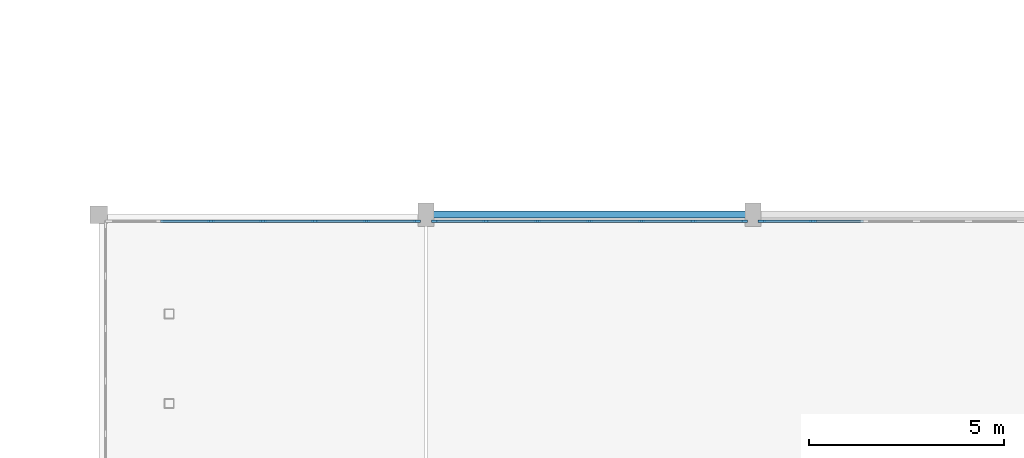
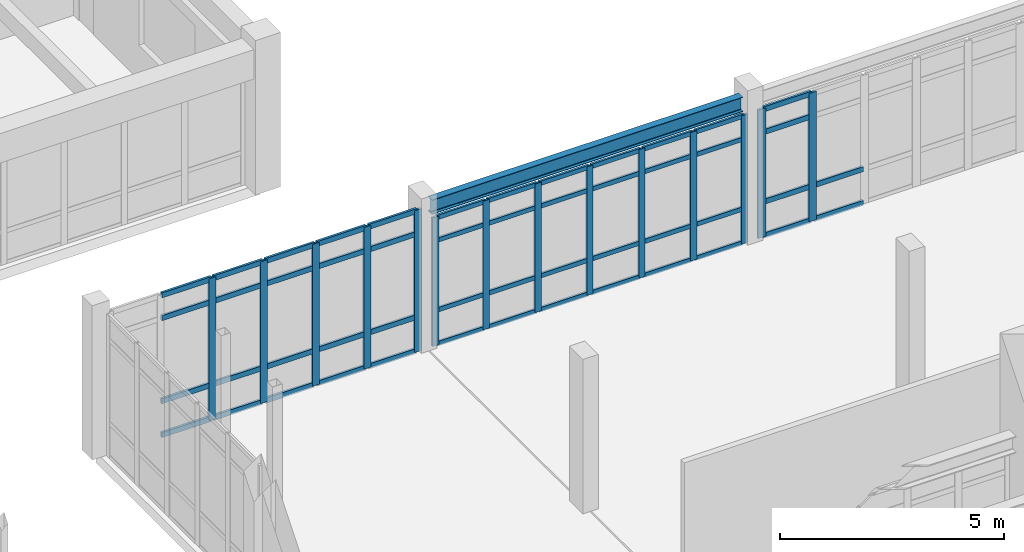
# One storey, part 91 of 147: 64 members, 1 beam, 3 elements without a shape of their own.
"""IFC4 building model written with IfcOpenShell, lengths in metres."""

import ifcopenshell
import ifcopenshell.guid

model = None  # the IFC model being written
_history = None  # IfcOwnerHistory: only IFC2X3 demands one
_inside = {}  # id of a spatial element -> (the spatial element, [elements in it])
_under = {}  # id of a project, library or spatial element -> (it, [spatial elements below it])
_declared = {}  # id of a project -> (the project, [libraries it declares])
_typed = {}  # id of a type object -> (the type object, [elements of that type])
_made_of = {}  # id of a material, layer set ... -> (it, [elements and type objects made of it])


def new_model(schema):
    """Start an empty IFC model of exactly this schema.

    Asked for "IFC4X3", IfcOpenShell would pick the latest addendum, in which some entities
    have other attributes; the version numbers below select the first issue.
    IFC2X3 requires an IfcOwnerHistory on every rooted entity: one is made here for all.
    """
    global model, _history
    if schema == "IFC4X3":
        model = ifcopenshell.file(schema_version=(4, 3, 0, 0))
    else:
        model = ifcopenshell.file(schema=schema)
    _inside.clear()
    _under.clear()
    _declared.clear()
    _typed.clear()
    _made_of.clear()
    _history = None
    if model.schema == "IFC2X3":
        org = make("IfcOrganization", Name="unknown")
        user = make(
            "IfcPersonAndOrganization",
            ThePerson=make("IfcPerson", FamilyName="unknown"),
            TheOrganization=org,
        )
        app = make(
            "IfcApplication",
            ApplicationDeveloper=org,
            Version="unknown",
            ApplicationFullName="unknown",
            ApplicationIdentifier="unknown",
        )
        _history = make(
            "IfcOwnerHistory",
            OwningUser=user,
            OwningApplication=app,
            ChangeAction="ADDED",
            CreationDate=0,
        )
    return model


def make(cls, **values):
    """One entity of the class cls with the attributes given. An attribute that is None is left unset."""
    return model.create_entity(
        cls, **{name: value for name, value in values.items() if value is not None}
    )


def rooted(cls, **values):
    """An entity with a GlobalId (a new one), such as an element, a storey or a relation."""
    return make(cls, GlobalId=ifcopenshell.guid.new(), OwnerHistory=_history, **values)


def si_unit(unit_type, name, prefix=None):
    """IfcSIUnit, for example si_unit("LENGTHUNIT", "METRE", prefix="MILLI")."""
    return make("IfcSIUnit", UnitType=unit_type, Prefix=prefix, Name=name)


def assignment(units):
    """IfcUnitAssignment: the units of a project."""
    return None if units is None else make("IfcUnitAssignment", Units=units)


def point(xyz):
    """IfcCartesianPoint."""
    return None if xyz is None else make("IfcCartesianPoint", Coordinates=xyz)


def direction(xyz):
    """IfcDirection."""
    return None if xyz is None else make("IfcDirection", DirectionRatios=xyz)


def frame(location, z_axis=None, x_axis=None):
    """IfcAxis2Placement3D, a coordinate frame: its origin and axes. An axis left out is left unset."""
    return make(
        "IfcAxis2Placement3D",
        Location=point(location),
        Axis=direction(z_axis),
        RefDirection=direction(x_axis),
    )


def frame_2d(location, x_axis=None):
    """IfcAxis2Placement2D, a coordinate frame in the plane: its origin and x axis."""
    return make(
        "IfcAxis2Placement2D", Location=point(location), RefDirection=direction(x_axis)
    )


def origin():
    """The frame at (0, 0, 0) with its axes left unset."""
    return frame((0.0, 0.0, 0.0))


def origin_2d():
    """The frame at (0, 0) in the plane with its x axis left unset."""
    return frame_2d((0.0, 0.0))


def place(relative_to, where):
    """IfcLocalPlacement: puts the frame where relative to a parent placement (None: the world)."""
    return make(
        "IfcLocalPlacement", PlacementRelTo=relative_to, RelativePlacement=where
    )


def context(
    kind, dimensions, precision=None, world=None, true_north=None, identifier=None
):
    """IfcGeometricRepresentationContext, for example the 3D "Model" context."""
    return make(
        "IfcGeometricRepresentationContext",
        ContextIdentifier=identifier,
        ContextType=kind,
        CoordinateSpaceDimension=dimensions,
        Precision=precision,
        WorldCoordinateSystem=world,
        TrueNorth=true_north,
    )


def subcontext(parent, identifier, kind, view, scale=None):
    """IfcGeometricRepresentationSubContext, for example "Body" below "Model"."""
    return make(
        "IfcGeometricRepresentationSubContext",
        ContextIdentifier=identifier,
        ContextType=kind,
        ParentContext=parent,
        TargetScale=scale,
        TargetView=view,
    )


def project(units=None, contexts=None):
    """IfcProject with its units and contexts."""
    return rooted(
        "IfcProject",
        Name="project",
        RepresentationContexts=contexts,
        UnitsInContext=assignment(units),
    )


def spatial(cls, under=None, at=None, **own):
    """A site, building, storey or space (cls), placed at a placement, below another one or the project."""
    s = rooted(cls, ObjectPlacement=at, **own)
    if under is not None:
        _under.setdefault(under.id(), (under, []))[1].append(s)
    return s


def profile(cls, at=None, kind="AREA", **sizes):
    """A parametric profile (cls). Its sizes go by their IFC names, for example OverallWidth=200.0."""
    return make(cls, ProfileType=kind, Position=at, **sizes)


def rectangle(**sizes):
    """IfcRectangleProfileDef."""
    return profile("IfcRectangleProfileDef", **sizes)


def i_section(**sizes):
    """IfcIShapeProfileDef."""
    return profile("IfcIShapeProfileDef", **sizes)


def extrude(swept, where, along, depth):
    """IfcExtrudedAreaSolid: the profile swept, set in the frame where, extruded along a direction by depth."""
    return make(
        "IfcExtrudedAreaSolid",
        SweptArea=swept,
        Position=where,
        ExtrudedDirection=direction(along),
        Depth=depth,
    )


def shape(context_of_items, identifier, shape_type, items):
    """IfcShapeRepresentation: the items that make up one representation, for example the "Body"."""
    return make(
        "IfcShapeRepresentation",
        ContextOfItems=context_of_items,
        RepresentationIdentifier=identifier,
        RepresentationType=shape_type,
        Items=items,
    )


def material(Name=None, Category=None):
    """IfcMaterial."""
    return make("IfcMaterial", Name=Name, Category=Category)


def material_profile(
    of_material, cross_section, Name=None, Category=None, Priority=None
):
    """IfcMaterialProfile: a cross section and its material."""
    return make(
        "IfcMaterialProfile",
        Name=Name,
        Material=of_material,
        Profile=cross_section,
        Priority=Priority,
        Category=Category,
    )


def profile_set(profiles, Name=None, composite=None):
    """IfcMaterialProfileSet."""
    return make(
        "IfcMaterialProfileSet",
        Name=Name,
        MaterialProfiles=profiles,
        CompositeProfile=composite,
    )


def made_of(thing, what):
    """Note that an element or type object is made of a material, layer set ...; save() writes the relation."""
    if what is not None:
        _made_of.setdefault(what.id(), (what, []))[1].append(thing)
    return thing


def type_object(cls, material=None, **own):
    """A type object (cls), such as IfcWallType, which elements share."""
    return made_of(rooted(cls, **own), material)


def element(
    cls,
    number,
    at=None,
    inside=None,
    cuts=None,
    type_object=None,
    material=None,
    context=None,
    identifier="Body",
    shape_type=None,
    held_by="IfcProductDefinitionShape",
    body=None,
    shapes=None,
    **own,
):
    """One element of the class cls, such as IfcWall. Its Tag is "e" and its number.

    at: its placement. inside: the storey or other place that contains it. cuts: it is an
    opening in that element (IfcRelVoidsElement). A single representation is given by context,
    identifier, shape_type and body (its items); several are given by shapes. held_by: the class
    of the entity that holds the representations. save() writes the other relations.
    """
    e = rooted(cls, Tag="e%d" % number, ObjectPlacement=at, **own)
    if body is not None:
        shapes = [shape(context, identifier, shape_type, body)]
    if shapes is not None:
        e.Representation = make(held_by, Representations=shapes)
    if inside is not None:
        _inside.setdefault(inside.id(), (inside, []))[1].append(e)
    if cuts is not None:
        rooted(
            "IfcRelVoidsElement", RelatingBuildingElement=cuts, RelatedOpeningElement=e
        )
    if type_object is not None:
        _typed.setdefault(type_object.id(), (type_object, []))[1].append(e)
    return made_of(e, material)


def aggregate(whole, parts):
    """IfcRelAggregates: a whole, such as a stair, and the parts it consists of."""
    return rooted("IfcRelAggregates", RelatingObject=whole, RelatedObjects=parts)


def save(model, path):
    """Write the relations noted so far, then the file.

    IfcRelAggregates (storeys below a building ...), IfcRelContainedInSpatialStructure (elements
    in a storey), IfcRelDefinesByType, IfcRelAssociatesMaterial and IfcRelDeclares: one each for
    every whole, place, type object, material and project.
    """
    for whole, parts in _under.values():
        aggregate(whole, parts)
    for where, things in _inside.values():
        rooted(
            "IfcRelContainedInSpatialStructure",
            RelatedElements=things,
            RelatingStructure=where,
        )
    for kind, things in _typed.values():
        rooted("IfcRelDefinesByType", RelatedObjects=things, RelatingType=kind)
    for what, things in _made_of.values():
        rooted("IfcRelAssociatesMaterial", RelatedObjects=things, RelatingMaterial=what)
    for by, libraries in _declared.values():
        rooted("IfcRelDeclares", RelatingContext=by, RelatedDefinitions=libraries)
    model.write(path)


model = new_model("IFC4")

# Units and contexts
model_context = context("Model", 3, precision=1e-05, world=origin(), true_north=direction((0.0, 1.0)))
body_context = subcontext(model_context, "Body", "Model", "MODEL_VIEW")
ifc_project = project(units=[si_unit("LENGTHUNIT", "METRE"), si_unit("AREAUNIT", "SQUARE_METRE"), si_unit("VOLUMEUNIT", "CUBIC_METRE"), si_unit("PLANEANGLEUNIT", "RADIAN"), si_unit("MASSUNIT", "GRAM", prefix="KILO")], contexts=[model_context])

# Site, building, storey
site_placement = place(None, origin())
site = spatial("IfcSite", under=ifc_project, at=site_placement, CompositionType="ELEMENT")
building_placement = place(site_placement, origin())
building = spatial("IfcBuilding", under=site, at=building_placement, Name="Malvenik Polytechnic", CompositionType="ELEMENT")
storey_placement = place(building_placement, frame((0.0, 0.0, 5.10009765625)))
storey = spatial("IfcBuildingStorey", under=building, at=storey_placement, Name="L01", CompositionType="ELEMENT", Elevation=5.10009765625)

# Curtain wall, members
ifc_material_1 = material(Name="Anodised aluminium 6060-T6", Category="aluminium")
curtain_wall_type_1 = type_object("IfcCurtainWallType", Name="ARC-CW-CW-02", PredefinedType="NOTDEFINED", material=ifc_material_1)
curtain_wall_1_placement = place(storey_placement, origin())
curtain_wall_1 = element("IfcCurtainWall", 1, at=curtain_wall_1_placement, inside=storey, type_object=curtain_wall_type_1, Name="Unitised Curtain Wall CW-02 L01 #65", PredefinedType="NOTDEFINED")
ifc_material_2 = material(Name="Anodised aluminium", Category="aluminium")
ifc_material_profile_1 = material_profile(ifc_material_2, rectangle(XDim=0.06005859375, YDim=0.159912109375, at=origin_2d()), Name="ALU MULLION 60x160")
ifc_profile_set_1 = profile_set([ifc_material_profile_1], Name="Anodised aluminium")
member_type_1 = type_object("IfcMemberType", Name="ARC-CWM-160", PredefinedType="MULLION", material=ifc_profile_set_1)
member_1_placement = place(storey_placement, frame((134.6279296875, 107.830078125, 0.0), z_axis=(0.0, 0.0, 1.0), x_axis=(0.0, 1.0, 0.0)))
member_1 = element("IfcMember", 2, at=member_1_placement, type_object=member_type_1, Name="CW-02 mullion 1", PredefinedType="MULLION", context=body_context, shape_type="SweptSolid", body=[
    extrude(rectangle(XDim=0.06005859375, YDim=0.159912109375, at=origin_2d()), origin(), (0.0, 0.0, 1.0), 3.497802734375),
])
member_2_placement = place(storey_placement, frame((135.931884765625, 107.830078125, 0.0), z_axis=(0.0, 0.0, 1.0), x_axis=(0.0, 1.0, 0.0)))
member_2 = element("IfcMember", 3, at=member_2_placement, type_object=member_type_1, Name="CW-02 mullion 2", PredefinedType="MULLION", context=body_context, shape_type="SweptSolid", body=[
    extrude(rectangle(XDim=0.06005859375, YDim=0.159912109375, at=origin_2d()), origin(), (0.0, 0.0, 1.0), 3.497802734375),
])
member_3_placement = place(storey_placement, frame((137.26611328125, 107.830078125, 0.0), z_axis=(0.0, 0.0, 1.0), x_axis=(0.0, 1.0, 0.0)))
member_3 = element("IfcMember", 4, at=member_3_placement, type_object=member_type_1, Name="CW-02 mullion 3", PredefinedType="MULLION", context=body_context, shape_type="SweptSolid", body=[
    extrude(rectangle(XDim=0.06005859375, YDim=0.159912109375, at=origin_2d()), origin(), (0.0, 0.0, 1.0), 3.497802734375),
])
member_4_placement = place(storey_placement, frame((138.60009765625, 107.830078125, 0.0), z_axis=(0.0, 0.0, 1.0), x_axis=(0.0, 1.0, 0.0)))
member_4 = element("IfcMember", 5, at=member_4_placement, type_object=member_type_1, Name="CW-02 mullion 4", PredefinedType="MULLION", context=body_context, shape_type="SweptSolid", body=[
    extrude(rectangle(XDim=0.06005859375, YDim=0.159912109375, at=origin_2d()), origin(), (0.0, 0.0, 1.0), 3.497802734375),
])
member_5_placement = place(storey_placement, frame((139.93408203125, 107.830078125, 0.0), z_axis=(0.0, 0.0, 1.0), x_axis=(0.0, 1.0, 0.0)))
member_5 = element("IfcMember", 6, at=member_5_placement, type_object=member_type_1, Name="CW-02 mullion 5", PredefinedType="MULLION", context=body_context, shape_type="SweptSolid", body=[
    extrude(rectangle(XDim=0.06005859375, YDim=0.159912109375, at=origin_2d()), origin(), (0.0, 0.0, 1.0), 3.497802734375),
])
member_6_placement = place(storey_placement, frame((141.26806640625, 107.830078125, 0.0), z_axis=(0.0, 0.0, 1.0), x_axis=(0.0, 1.0, 0.0)))
member_6 = element("IfcMember", 7, at=member_6_placement, type_object=member_type_1, Name="CW-02 mullion 6", PredefinedType="MULLION", context=body_context, shape_type="SweptSolid", body=[
    extrude(rectangle(XDim=0.06005859375, YDim=0.159912109375, at=origin_2d()), origin(), (0.0, 0.0, 1.0), 3.497802734375),
])
member_7_placement = place(storey_placement, frame((142.572021484375, 107.830078125, 0.0), z_axis=(0.0, 0.0, 1.0), x_axis=(0.0, 1.0, 0.0)))
member_7 = element("IfcMember", 8, at=member_7_placement, type_object=member_type_1, Name="CW-02 mullion 7", PredefinedType="MULLION", context=body_context, shape_type="SweptSolid", body=[
    extrude(rectangle(XDim=0.06005859375, YDim=0.159912109375, at=origin_2d()), origin(), (0.0, 0.0, 1.0), 3.497802734375),
])

curtain_wall_type_2 = type_object("IfcCurtainWallType", Name="ARC-CW-CW-01", PredefinedType="NOTDEFINED", material=ifc_material_1)
curtain_wall_2_placement = place(storey_placement, origin())
curtain_wall_2 = element("IfcCurtainWall", 9, at=curtain_wall_2_placement, inside=storey, type_object=curtain_wall_type_2, Name="Unitised Curtain Wall CW-01 L01 #64", PredefinedType="NOTDEFINED")
ifc_material_profile_2 = material_profile(ifc_material_2, rectangle(XDim=0.06005859375, YDim=0.179931640625, at=origin_2d()), Name="ALU MULLION 60x180")
ifc_profile_set_2 = profile_set([ifc_material_profile_2], Name="Anodised aluminium")
member_type_2 = type_object("IfcMemberType", Name="ARC-CWM-180", PredefinedType="MULLION", material=ifc_profile_set_2)
member_8_placement = place(storey_placement, frame((128.882568359375, 107.830078125, 0.0), z_axis=(0.0, 0.0, 1.0), x_axis=(0.0, 1.0, 0.0)))
member_8 = element("IfcMember", 10, at=member_8_placement, type_object=member_type_2, Name="CW-01 mullion 3", PredefinedType="MULLION", context=body_context, shape_type="SweptSolid", body=[
    extrude(rectangle(XDim=0.06005859375, YDim=0.179931640625, at=origin_2d()), origin(), (0.0, 0.0, 1.0), 3.85986328125),
])
member_9_placement = place(storey_placement, frame((130.21240234375, 107.830078125, 0.0), z_axis=(0.0, 0.0, 1.0), x_axis=(0.0, 1.0, 0.0)))
member_9 = element("IfcMember", 11, at=member_9_placement, type_object=member_type_2, Name="CW-01 mullion 4", PredefinedType="MULLION", context=body_context, shape_type="SweptSolid", body=[
    extrude(rectangle(XDim=0.06005859375, YDim=0.179931640625, at=origin_2d()), origin(), (0.0, 0.0, 1.0), 3.85986328125),
])
member_10_placement = place(storey_placement, frame((131.542236328125, 107.830078125, 0.0), z_axis=(0.0, 0.0, 1.0), x_axis=(0.0, 1.0, 0.0)))
member_10 = element("IfcMember", 12, at=member_10_placement, type_object=member_type_2, Name="CW-01 mullion 5", PredefinedType="MULLION", context=body_context, shape_type="SweptSolid", body=[
    extrude(rectangle(XDim=0.06005859375, YDim=0.179931640625, at=origin_2d()), origin(), (0.0, 0.0, 1.0), 3.85986328125),
])
member_11_placement = place(storey_placement, frame((132.8720703125, 107.830078125, 0.0), z_axis=(0.0, 0.0, 1.0), x_axis=(0.0, 1.0, 0.0)))
member_11 = element("IfcMember", 13, at=member_11_placement, type_object=member_type_2, Name="CW-01 mullion 6", PredefinedType="MULLION", context=body_context, shape_type="SweptSolid", body=[
    extrude(rectangle(XDim=0.06005859375, YDim=0.179931640625, at=origin_2d()), origin(), (0.0, 0.0, 1.0), 3.85986328125),
])
member_12_placement = place(storey_placement, frame((134.172119140625, 107.830078125, 0.0), z_axis=(0.0, 0.0, 1.0), x_axis=(0.0, 1.0, 0.0)))
member_12 = element("IfcMember", 14, at=member_12_placement, type_object=member_type_2, Name="CW-01 mullion 7", PredefinedType="MULLION", context=body_context, shape_type="SweptSolid", body=[
    extrude(rectangle(XDim=0.06005859375, YDim=0.179931640625, at=origin_2d()), origin(), (0.0, 0.0, 1.0), 3.85986328125),
])

curtain_wall_3_placement = place(storey_placement, origin())
curtain_wall_3 = element("IfcCurtainWall", 15, at=curtain_wall_3_placement, inside=storey, type_object=curtain_wall_type_1, Name="Unitised Curtain Wall CW-02 L01 #66", PredefinedType="NOTDEFINED")
ifc_material_profile_3 = material_profile(ifc_material_2, rectangle(XDim=0.06005859375, YDim=0.199951171875, at=origin_2d()), Name="ALU MULLION 60x200")
ifc_profile_set_3 = profile_set([ifc_material_profile_3], Name="Anodised aluminium")
member_type_3 = type_object("IfcMemberType", Name="ARC-CWM-200", PredefinedType="MULLION", material=ifc_profile_set_3)
member_13_placement = place(storey_placement, frame((143.028076171875, 107.830078125, 0.0), z_axis=(0.0, 0.0, 1.0), x_axis=(0.0, 1.0, 0.0)))
member_13 = element("IfcMember", 16, at=member_13_placement, type_object=member_type_3, Name="CW-02 mullion 1", PredefinedType="MULLION", context=body_context, shape_type="SweptSolid", body=[
    extrude(rectangle(XDim=0.06005859375, YDim=0.199951171875, at=origin_2d()), origin(), (0.0, 0.0, 1.0), 3.497802734375),
])
member_14_placement = place(storey_placement, frame((144.33203125, 107.830078125, 0.0), z_axis=(0.0, 0.0, 1.0), x_axis=(0.0, 1.0, 0.0)))
member_14 = element("IfcMember", 17, at=member_14_placement, type_object=member_type_3, Name="CW-02 mullion 2", PredefinedType="MULLION", context=body_context, shape_type="SweptSolid", body=[
    extrude(rectangle(XDim=0.06005859375, YDim=0.199951171875, at=origin_2d()), origin(), (0.0, 0.0, 1.0), 3.497802734375),
])

# Member
ifc_material_profile_4 = material_profile(ifc_material_2, rectangle(XDim=0.06005859375, YDim=0.1201171875, at=origin_2d()), Name="ALU TRANSOM 60x120")
ifc_profile_set_4 = profile_set([ifc_material_profile_4], Name="Anodised aluminium")
member_type_4 = type_object("IfcMemberType", Name="ARC-CWT-120", PredefinedType="USERDEFINED", material=ifc_profile_set_4)
member_15_placement = place(storey_placement, frame((134.657958984375, 107.830078125, 0.02978515625), z_axis=(1.0, 0.0, 0.0), x_axis=(0.0, 1.0, 0.0)))
member_15 = element("IfcMember", 18, at=member_15_placement, type_object=member_type_4, Name="CW-02 transom 1.1", ObjectType="TRANSOM", PredefinedType="USERDEFINED", context=body_context, shape_type="SweptSolid", body=[
    extrude(rectangle(XDim=0.06005859375, YDim=0.1201171875, at=origin_2d()), origin(), (0.0, 0.0, 1.0), 1.244140625),
])

member_16_placement = place(storey_placement, frame((134.657958984375, 107.830078125, 0.949951171875), z_axis=(1.0, 0.0, 0.0), x_axis=(0.0, 1.0, 0.0)))
member_16 = element("IfcMember", 19, at=member_16_placement, type_object=member_type_4, Name="CW-02 transom 1.2", ObjectType="TRANSOM", PredefinedType="USERDEFINED", context=body_context, shape_type="SweptSolid", body=[
    extrude(rectangle(XDim=0.06005859375, YDim=0.1201171875, at=origin_2d()), origin(), (0.0, 0.0, 1.0), 1.244140625),
])

member_17_placement = place(storey_placement, frame((134.657958984375, 107.830078125, 2.847900390625), z_axis=(1.0, 0.0, 0.0), x_axis=(0.0, 1.0, 0.0)))
member_17 = element("IfcMember", 20, at=member_17_placement, type_object=member_type_4, Name="CW-02 transom 1.3", ObjectType="TRANSOM", PredefinedType="USERDEFINED", context=body_context, shape_type="SweptSolid", body=[
    extrude(rectangle(XDim=0.06005859375, YDim=0.1201171875, at=origin_2d()), origin(), (0.0, 0.0, 1.0), 1.244140625),
])

member_18_placement = place(storey_placement, frame((134.657958984375, 107.830078125, 3.468017578125), z_axis=(1.0, 0.0, 0.0), x_axis=(0.0, 1.0, 0.0)))
member_18 = element("IfcMember", 21, at=member_18_placement, type_object=member_type_4, Name="CW-02 transom 1.4", ObjectType="TRANSOM", PredefinedType="USERDEFINED", context=body_context, shape_type="SweptSolid", body=[
    extrude(rectangle(XDim=0.06005859375, YDim=0.1201171875, at=origin_2d()), origin(), (0.0, 0.0, 1.0), 1.244140625),
])

member_19_placement = place(storey_placement, frame((135.9619140625, 107.830078125, 0.02978515625), z_axis=(1.0, 0.0, 0.0), x_axis=(0.0, 1.0, 0.0)))
member_19 = element("IfcMember", 22, at=member_19_placement, type_object=member_type_4, Name="CW-02 transom 2.1", ObjectType="TRANSOM", PredefinedType="USERDEFINED", context=body_context, shape_type="SweptSolid", body=[
    extrude(rectangle(XDim=0.06005859375, YDim=0.1201171875, at=origin_2d()), origin(), (0.0, 0.0, 1.0), 1.274169921875),
])

member_20_placement = place(storey_placement, frame((135.9619140625, 107.830078125, 0.949951171875), z_axis=(1.0, 0.0, 0.0), x_axis=(0.0, 1.0, 0.0)))
member_20 = element("IfcMember", 23, at=member_20_placement, type_object=member_type_4, Name="CW-02 transom 2.2", ObjectType="TRANSOM", PredefinedType="USERDEFINED", context=body_context, shape_type="SweptSolid", body=[
    extrude(rectangle(XDim=0.06005859375, YDim=0.1201171875, at=origin_2d()), origin(), (0.0, 0.0, 1.0), 1.274169921875),
])

member_21_placement = place(storey_placement, frame((135.9619140625, 107.830078125, 2.847900390625), z_axis=(1.0, 0.0, 0.0), x_axis=(0.0, 1.0, 0.0)))
member_21 = element("IfcMember", 24, at=member_21_placement, type_object=member_type_4, Name="CW-02 transom 2.3", ObjectType="TRANSOM", PredefinedType="USERDEFINED", context=body_context, shape_type="SweptSolid", body=[
    extrude(rectangle(XDim=0.06005859375, YDim=0.1201171875, at=origin_2d()), origin(), (0.0, 0.0, 1.0), 1.274169921875),
])

member_22_placement = place(storey_placement, frame((135.9619140625, 107.830078125, 3.468017578125), z_axis=(1.0, 0.0, 0.0), x_axis=(0.0, 1.0, 0.0)))
member_22 = element("IfcMember", 25, at=member_22_placement, type_object=member_type_4, Name="CW-02 transom 2.4", ObjectType="TRANSOM", PredefinedType="USERDEFINED", context=body_context, shape_type="SweptSolid", body=[
    extrude(rectangle(XDim=0.06005859375, YDim=0.1201171875, at=origin_2d()), origin(), (0.0, 0.0, 1.0), 1.274169921875),
])

member_23_placement = place(storey_placement, frame((137.2958984375, 107.830078125, 0.02978515625), z_axis=(1.0, 0.0, 0.0), x_axis=(0.0, 1.0, 0.0)))
member_23 = element("IfcMember", 26, at=member_23_placement, type_object=member_type_4, Name="CW-02 transom 3.1", ObjectType="TRANSOM", PredefinedType="USERDEFINED", context=body_context, shape_type="SweptSolid", body=[
    extrude(rectangle(XDim=0.06005859375, YDim=0.1201171875, at=origin_2d()), origin(), (0.0, 0.0, 1.0), 1.274169921875),
])

member_24_placement = place(storey_placement, frame((137.2958984375, 107.830078125, 0.949951171875), z_axis=(1.0, 0.0, 0.0), x_axis=(0.0, 1.0, 0.0)))
member_24 = element("IfcMember", 27, at=member_24_placement, type_object=member_type_4, Name="CW-02 transom 3.2", ObjectType="TRANSOM", PredefinedType="USERDEFINED", context=body_context, shape_type="SweptSolid", body=[
    extrude(rectangle(XDim=0.06005859375, YDim=0.1201171875, at=origin_2d()), origin(), (0.0, 0.0, 1.0), 1.274169921875),
])

member_25_placement = place(storey_placement, frame((137.2958984375, 107.830078125, 2.847900390625), z_axis=(1.0, 0.0, 0.0), x_axis=(0.0, 1.0, 0.0)))
member_25 = element("IfcMember", 28, at=member_25_placement, type_object=member_type_4, Name="CW-02 transom 3.3", ObjectType="TRANSOM", PredefinedType="USERDEFINED", context=body_context, shape_type="SweptSolid", body=[
    extrude(rectangle(XDim=0.06005859375, YDim=0.1201171875, at=origin_2d()), origin(), (0.0, 0.0, 1.0), 1.274169921875),
])

member_26_placement = place(storey_placement, frame((137.2958984375, 107.830078125, 3.468017578125), z_axis=(1.0, 0.0, 0.0), x_axis=(0.0, 1.0, 0.0)))
member_26 = element("IfcMember", 29, at=member_26_placement, type_object=member_type_4, Name="CW-02 transom 3.4", ObjectType="TRANSOM", PredefinedType="USERDEFINED", context=body_context, shape_type="SweptSolid", body=[
    extrude(rectangle(XDim=0.06005859375, YDim=0.1201171875, at=origin_2d()), origin(), (0.0, 0.0, 1.0), 1.274169921875),
])

member_27_placement = place(storey_placement, frame((138.6298828125, 107.830078125, 0.02978515625), z_axis=(1.0, 0.0, 0.0), x_axis=(0.0, 1.0, 0.0)))
member_27 = element("IfcMember", 30, at=member_27_placement, type_object=member_type_4, Name="CW-02 transom 4.1", ObjectType="TRANSOM", PredefinedType="USERDEFINED", context=body_context, shape_type="SweptSolid", body=[
    extrude(rectangle(XDim=0.06005859375, YDim=0.1201171875, at=origin_2d()), origin(), (0.0, 0.0, 1.0), 1.274169921875),
])

member_28_placement = place(storey_placement, frame((138.6298828125, 107.830078125, 0.949951171875), z_axis=(1.0, 0.0, 0.0), x_axis=(0.0, 1.0, 0.0)))
member_28 = element("IfcMember", 31, at=member_28_placement, type_object=member_type_4, Name="CW-02 transom 4.2", ObjectType="TRANSOM", PredefinedType="USERDEFINED", context=body_context, shape_type="SweptSolid", body=[
    extrude(rectangle(XDim=0.06005859375, YDim=0.1201171875, at=origin_2d()), origin(), (0.0, 0.0, 1.0), 1.274169921875),
])

member_29_placement = place(storey_placement, frame((138.6298828125, 107.830078125, 2.847900390625), z_axis=(1.0, 0.0, 0.0), x_axis=(0.0, 1.0, 0.0)))
member_29 = element("IfcMember", 32, at=member_29_placement, type_object=member_type_4, Name="CW-02 transom 4.3", ObjectType="TRANSOM", PredefinedType="USERDEFINED", context=body_context, shape_type="SweptSolid", body=[
    extrude(rectangle(XDim=0.06005859375, YDim=0.1201171875, at=origin_2d()), origin(), (0.0, 0.0, 1.0), 1.274169921875),
])

member_30_placement = place(storey_placement, frame((138.6298828125, 107.830078125, 3.468017578125), z_axis=(1.0, 0.0, 0.0), x_axis=(0.0, 1.0, 0.0)))
member_30 = element("IfcMember", 33, at=member_30_placement, type_object=member_type_4, Name="CW-02 transom 4.4", ObjectType="TRANSOM", PredefinedType="USERDEFINED", context=body_context, shape_type="SweptSolid", body=[
    extrude(rectangle(XDim=0.06005859375, YDim=0.1201171875, at=origin_2d()), origin(), (0.0, 0.0, 1.0), 1.274169921875),
])

member_31_placement = place(storey_placement, frame((139.964111328125, 107.830078125, 0.02978515625), z_axis=(1.0, 0.0, 0.0), x_axis=(0.0, 1.0, 0.0)))
member_31 = element("IfcMember", 34, at=member_31_placement, type_object=member_type_4, Name="CW-02 transom 5.1", ObjectType="TRANSOM", PredefinedType="USERDEFINED", context=body_context, shape_type="SweptSolid", body=[
    extrude(rectangle(XDim=0.06005859375, YDim=0.1201171875, at=origin_2d()), origin(), (0.0, 0.0, 1.0), 1.27392578125),
])

member_32_placement = place(storey_placement, frame((139.964111328125, 107.830078125, 0.949951171875), z_axis=(1.0, 0.0, 0.0), x_axis=(0.0, 1.0, 0.0)))
member_32 = element("IfcMember", 35, at=member_32_placement, type_object=member_type_4, Name="CW-02 transom 5.2", ObjectType="TRANSOM", PredefinedType="USERDEFINED", context=body_context, shape_type="SweptSolid", body=[
    extrude(rectangle(XDim=0.06005859375, YDim=0.1201171875, at=origin_2d()), origin(), (0.0, 0.0, 1.0), 1.27392578125),
])

member_33_placement = place(storey_placement, frame((139.964111328125, 107.830078125, 2.847900390625), z_axis=(1.0, 0.0, 0.0), x_axis=(0.0, 1.0, 0.0)))
member_33 = element("IfcMember", 36, at=member_33_placement, type_object=member_type_4, Name="CW-02 transom 5.3", ObjectType="TRANSOM", PredefinedType="USERDEFINED", context=body_context, shape_type="SweptSolid", body=[
    extrude(rectangle(XDim=0.06005859375, YDim=0.1201171875, at=origin_2d()), origin(), (0.0, 0.0, 1.0), 1.27392578125),
])

member_34_placement = place(storey_placement, frame((139.964111328125, 107.830078125, 3.468017578125), z_axis=(1.0, 0.0, 0.0), x_axis=(0.0, 1.0, 0.0)))
member_34 = element("IfcMember", 37, at=member_34_placement, type_object=member_type_4, Name="CW-02 transom 5.4", ObjectType="TRANSOM", PredefinedType="USERDEFINED", context=body_context, shape_type="SweptSolid", body=[
    extrude(rectangle(XDim=0.06005859375, YDim=0.1201171875, at=origin_2d()), origin(), (0.0, 0.0, 1.0), 1.27392578125),
])

member_35_placement = place(storey_placement, frame((141.298095703125, 107.830078125, 0.02978515625), z_axis=(1.0, 0.0, 0.0), x_axis=(0.0, 1.0, 0.0)))
member_35 = element("IfcMember", 38, at=member_35_placement, type_object=member_type_4, Name="CW-02 transom 6.1", ObjectType="TRANSOM", PredefinedType="USERDEFINED", context=body_context, shape_type="SweptSolid", body=[
    extrude(rectangle(XDim=0.06005859375, YDim=0.1201171875, at=origin_2d()), origin(), (0.0, 0.0, 1.0), 1.243896484375),
])

member_36_placement = place(storey_placement, frame((141.298095703125, 107.830078125, 0.949951171875), z_axis=(1.0, 0.0, 0.0), x_axis=(0.0, 1.0, 0.0)))
member_36 = element("IfcMember", 39, at=member_36_placement, type_object=member_type_4, Name="CW-02 transom 6.2", ObjectType="TRANSOM", PredefinedType="USERDEFINED", context=body_context, shape_type="SweptSolid", body=[
    extrude(rectangle(XDim=0.06005859375, YDim=0.1201171875, at=origin_2d()), origin(), (0.0, 0.0, 1.0), 1.243896484375),
])

member_37_placement = place(storey_placement, frame((141.298095703125, 107.830078125, 2.847900390625), z_axis=(1.0, 0.0, 0.0), x_axis=(0.0, 1.0, 0.0)))
member_37 = element("IfcMember", 40, at=member_37_placement, type_object=member_type_4, Name="CW-02 transom 6.3", ObjectType="TRANSOM", PredefinedType="USERDEFINED", context=body_context, shape_type="SweptSolid", body=[
    extrude(rectangle(XDim=0.06005859375, YDim=0.1201171875, at=origin_2d()), origin(), (0.0, 0.0, 1.0), 1.243896484375),
])

member_38_placement = place(storey_placement, frame((141.298095703125, 107.830078125, 3.468017578125), z_axis=(1.0, 0.0, 0.0), x_axis=(0.0, 1.0, 0.0)))
member_38 = element("IfcMember", 41, at=member_38_placement, type_object=member_type_4, Name="CW-02 transom 6.4", ObjectType="TRANSOM", PredefinedType="USERDEFINED", context=body_context, shape_type="SweptSolid", body=[
    extrude(rectangle(XDim=0.06005859375, YDim=0.1201171875, at=origin_2d()), origin(), (0.0, 0.0, 1.0), 1.243896484375),
])

aggregate(curtain_wall_1, [member_1, member_2, member_3, member_4, member_5, member_6, member_7, member_15, member_16, member_17, member_18, member_19, member_20, member_21, member_22, member_23, member_24, member_25, member_26, member_27, member_28, member_29, member_30, member_31, member_32, member_33, member_34, member_35, member_36, member_37, member_38])

ifc_material_profile_5 = material_profile(ifc_material_2, rectangle(XDim=0.06005859375, YDim=0.139892578125, at=origin_2d()), Name="ALU TRANSOM 60x140")
ifc_profile_set_5 = profile_set([ifc_material_profile_5], Name="Anodised aluminium")
member_type_5 = type_object("IfcMemberType", Name="ARC-CWT-140", PredefinedType="USERDEFINED", material=ifc_profile_set_5)
member_39_placement = place(storey_placement, frame((127.582763671875, 107.830078125, 0.02978515625), z_axis=(1.0, 0.0, 0.0), x_axis=(0.0, 1.0, 0.0)))
member_39 = element("IfcMember", 42, at=member_39_placement, type_object=member_type_5, Name="CW-01 transom 2.1", ObjectType="TRANSOM", PredefinedType="USERDEFINED", context=body_context, shape_type="SweptSolid", body=[
    extrude(rectangle(XDim=0.06005859375, YDim=0.139892578125, at=origin_2d()), origin(), (0.0, 0.0, 1.0), 1.27001953125),
])

member_40_placement = place(storey_placement, frame((127.582763671875, 107.830078125, 0.949951171875), z_axis=(1.0, 0.0, 0.0), x_axis=(0.0, 1.0, 0.0)))
member_40 = element("IfcMember", 43, at=member_40_placement, type_object=member_type_5, Name="CW-01 transom 2.2", ObjectType="TRANSOM", PredefinedType="USERDEFINED", context=body_context, shape_type="SweptSolid", body=[
    extrude(rectangle(XDim=0.06005859375, YDim=0.139892578125, at=origin_2d()), origin(), (0.0, 0.0, 1.0), 1.27001953125),
])

member_41_placement = place(storey_placement, frame((127.582763671875, 107.830078125, 3.2099609375), z_axis=(1.0, 0.0, 0.0), x_axis=(0.0, 1.0, 0.0)))
member_41 = element("IfcMember", 44, at=member_41_placement, type_object=member_type_5, Name="CW-01 transom 2.3", ObjectType="TRANSOM", PredefinedType="USERDEFINED", context=body_context, shape_type="SweptSolid", body=[
    extrude(rectangle(XDim=0.06005859375, YDim=0.139892578125, at=origin_2d()), origin(), (0.0, 0.0, 1.0), 1.27001953125),
])

member_42_placement = place(storey_placement, frame((127.582763671875, 107.830078125, 3.829833984375), z_axis=(1.0, 0.0, 0.0), x_axis=(0.0, 1.0, 0.0)))
member_42 = element("IfcMember", 45, at=member_42_placement, type_object=member_type_5, Name="CW-01 transom 2.4", ObjectType="TRANSOM", PredefinedType="USERDEFINED", context=body_context, shape_type="SweptSolid", body=[
    extrude(rectangle(XDim=0.06005859375, YDim=0.139892578125, at=origin_2d()), origin(), (0.0, 0.0, 1.0), 1.27001953125),
])

member_43_placement = place(storey_placement, frame((128.91259765625, 107.830078125, 0.02978515625), z_axis=(1.0, 0.0, 0.0), x_axis=(0.0, 1.0, 0.0)))
member_43 = element("IfcMember", 46, at=member_43_placement, type_object=member_type_5, Name="CW-01 transom 3.1", ObjectType="TRANSOM", PredefinedType="USERDEFINED", context=body_context, shape_type="SweptSolid", body=[
    extrude(rectangle(XDim=0.06005859375, YDim=0.139892578125, at=origin_2d()), origin(), (0.0, 0.0, 1.0), 1.27001953125),
])

member_44_placement = place(storey_placement, frame((128.91259765625, 107.830078125, 0.949951171875), z_axis=(1.0, 0.0, 0.0), x_axis=(0.0, 1.0, 0.0)))
member_44 = element("IfcMember", 47, at=member_44_placement, type_object=member_type_5, Name="CW-01 transom 3.2", ObjectType="TRANSOM", PredefinedType="USERDEFINED", context=body_context, shape_type="SweptSolid", body=[
    extrude(rectangle(XDim=0.06005859375, YDim=0.139892578125, at=origin_2d()), origin(), (0.0, 0.0, 1.0), 1.27001953125),
])

member_45_placement = place(storey_placement, frame((128.91259765625, 107.830078125, 3.2099609375), z_axis=(1.0, 0.0, 0.0), x_axis=(0.0, 1.0, 0.0)))
member_45 = element("IfcMember", 48, at=member_45_placement, type_object=member_type_5, Name="CW-01 transom 3.3", ObjectType="TRANSOM", PredefinedType="USERDEFINED", context=body_context, shape_type="SweptSolid", body=[
    extrude(rectangle(XDim=0.06005859375, YDim=0.139892578125, at=origin_2d()), origin(), (0.0, 0.0, 1.0), 1.27001953125),
])

member_46_placement = place(storey_placement, frame((128.91259765625, 107.830078125, 3.829833984375), z_axis=(1.0, 0.0, 0.0), x_axis=(0.0, 1.0, 0.0)))
member_46 = element("IfcMember", 49, at=member_46_placement, type_object=member_type_5, Name="CW-01 transom 3.4", ObjectType="TRANSOM", PredefinedType="USERDEFINED", context=body_context, shape_type="SweptSolid", body=[
    extrude(rectangle(XDim=0.06005859375, YDim=0.139892578125, at=origin_2d()), origin(), (0.0, 0.0, 1.0), 1.27001953125),
])

member_47_placement = place(storey_placement, frame((130.242431640625, 107.830078125, 0.02978515625), z_axis=(1.0, 0.0, 0.0), x_axis=(0.0, 1.0, 0.0)))
member_47 = element("IfcMember", 50, at=member_47_placement, type_object=member_type_5, Name="CW-01 transom 4.1", ObjectType="TRANSOM", PredefinedType="USERDEFINED", context=body_context, shape_type="SweptSolid", body=[
    extrude(rectangle(XDim=0.06005859375, YDim=0.139892578125, at=origin_2d()), origin(), (0.0, 0.0, 1.0), 1.27001953125),
])

member_48_placement = place(storey_placement, frame((130.242431640625, 107.830078125, 0.949951171875), z_axis=(1.0, 0.0, 0.0), x_axis=(0.0, 1.0, 0.0)))
member_48 = element("IfcMember", 51, at=member_48_placement, type_object=member_type_5, Name="CW-01 transom 4.2", ObjectType="TRANSOM", PredefinedType="USERDEFINED", context=body_context, shape_type="SweptSolid", body=[
    extrude(rectangle(XDim=0.06005859375, YDim=0.139892578125, at=origin_2d()), origin(), (0.0, 0.0, 1.0), 1.27001953125),
])

member_49_placement = place(storey_placement, frame((130.242431640625, 107.830078125, 3.2099609375), z_axis=(1.0, 0.0, 0.0), x_axis=(0.0, 1.0, 0.0)))
member_49 = element("IfcMember", 52, at=member_49_placement, type_object=member_type_5, Name="CW-01 transom 4.3", ObjectType="TRANSOM", PredefinedType="USERDEFINED", context=body_context, shape_type="SweptSolid", body=[
    extrude(rectangle(XDim=0.06005859375, YDim=0.139892578125, at=origin_2d()), origin(), (0.0, 0.0, 1.0), 1.27001953125),
])

member_50_placement = place(storey_placement, frame((130.242431640625, 107.830078125, 3.829833984375), z_axis=(1.0, 0.0, 0.0), x_axis=(0.0, 1.0, 0.0)))
member_50 = element("IfcMember", 53, at=member_50_placement, type_object=member_type_5, Name="CW-01 transom 4.4", ObjectType="TRANSOM", PredefinedType="USERDEFINED", context=body_context, shape_type="SweptSolid", body=[
    extrude(rectangle(XDim=0.06005859375, YDim=0.139892578125, at=origin_2d()), origin(), (0.0, 0.0, 1.0), 1.27001953125),
])

member_51_placement = place(storey_placement, frame((131.572265625, 107.830078125, 0.02978515625), z_axis=(1.0, 0.0, 0.0), x_axis=(0.0, 1.0, 0.0)))
member_51 = element("IfcMember", 54, at=member_51_placement, type_object=member_type_5, Name="CW-01 transom 5.1", ObjectType="TRANSOM", PredefinedType="USERDEFINED", context=body_context, shape_type="SweptSolid", body=[
    extrude(rectangle(XDim=0.06005859375, YDim=0.139892578125, at=origin_2d()), origin(), (0.0, 0.0, 1.0), 1.27001953125),
])

member_52_placement = place(storey_placement, frame((131.572265625, 107.830078125, 0.949951171875), z_axis=(1.0, 0.0, 0.0), x_axis=(0.0, 1.0, 0.0)))
member_52 = element("IfcMember", 55, at=member_52_placement, type_object=member_type_5, Name="CW-01 transom 5.2", ObjectType="TRANSOM", PredefinedType="USERDEFINED", context=body_context, shape_type="SweptSolid", body=[
    extrude(rectangle(XDim=0.06005859375, YDim=0.139892578125, at=origin_2d()), origin(), (0.0, 0.0, 1.0), 1.27001953125),
])

member_53_placement = place(storey_placement, frame((131.572265625, 107.830078125, 3.2099609375), z_axis=(1.0, 0.0, 0.0), x_axis=(0.0, 1.0, 0.0)))
member_53 = element("IfcMember", 56, at=member_53_placement, type_object=member_type_5, Name="CW-01 transom 5.3", ObjectType="TRANSOM", PredefinedType="USERDEFINED", context=body_context, shape_type="SweptSolid", body=[
    extrude(rectangle(XDim=0.06005859375, YDim=0.139892578125, at=origin_2d()), origin(), (0.0, 0.0, 1.0), 1.27001953125),
])

member_54_placement = place(storey_placement, frame((131.572265625, 107.830078125, 3.829833984375), z_axis=(1.0, 0.0, 0.0), x_axis=(0.0, 1.0, 0.0)))
member_54 = element("IfcMember", 57, at=member_54_placement, type_object=member_type_5, Name="CW-01 transom 5.4", ObjectType="TRANSOM", PredefinedType="USERDEFINED", context=body_context, shape_type="SweptSolid", body=[
    extrude(rectangle(XDim=0.06005859375, YDim=0.139892578125, at=origin_2d()), origin(), (0.0, 0.0, 1.0), 1.27001953125),
])

member_55_placement = place(storey_placement, frame((132.902099609375, 107.830078125, 0.02978515625), z_axis=(1.0, 0.0, 0.0), x_axis=(0.0, 1.0, 0.0)))
member_55 = element("IfcMember", 58, at=member_55_placement, type_object=member_type_5, Name="CW-01 transom 6.1", ObjectType="TRANSOM", PredefinedType="USERDEFINED", context=body_context, shape_type="SweptSolid", body=[
    extrude(rectangle(XDim=0.06005859375, YDim=0.139892578125, at=origin_2d()), origin(), (0.0, 0.0, 1.0), 1.239990234375),
])

member_56_placement = place(storey_placement, frame((132.902099609375, 107.830078125, 0.949951171875), z_axis=(1.0, 0.0, 0.0), x_axis=(0.0, 1.0, 0.0)))
member_56 = element("IfcMember", 59, at=member_56_placement, type_object=member_type_5, Name="CW-01 transom 6.2", ObjectType="TRANSOM", PredefinedType="USERDEFINED", context=body_context, shape_type="SweptSolid", body=[
    extrude(rectangle(XDim=0.06005859375, YDim=0.139892578125, at=origin_2d()), origin(), (0.0, 0.0, 1.0), 1.239990234375),
])

member_57_placement = place(storey_placement, frame((132.902099609375, 107.830078125, 3.2099609375), z_axis=(1.0, 0.0, 0.0), x_axis=(0.0, 1.0, 0.0)))
member_57 = element("IfcMember", 60, at=member_57_placement, type_object=member_type_5, Name="CW-01 transom 6.3", ObjectType="TRANSOM", PredefinedType="USERDEFINED", context=body_context, shape_type="SweptSolid", body=[
    extrude(rectangle(XDim=0.06005859375, YDim=0.139892578125, at=origin_2d()), origin(), (0.0, 0.0, 1.0), 1.239990234375),
])

member_58_placement = place(storey_placement, frame((132.902099609375, 107.830078125, 3.829833984375), z_axis=(1.0, 0.0, 0.0), x_axis=(0.0, 1.0, 0.0)))
member_58 = element("IfcMember", 61, at=member_58_placement, type_object=member_type_5, Name="CW-01 transom 6.4", ObjectType="TRANSOM", PredefinedType="USERDEFINED", context=body_context, shape_type="SweptSolid", body=[
    extrude(rectangle(XDim=0.06005859375, YDim=0.139892578125, at=origin_2d()), origin(), (0.0, 0.0, 1.0), 1.239990234375),
])

aggregate(curtain_wall_2, [member_8, member_9, member_10, member_11, member_12, member_39, member_40, member_41, member_42, member_43, member_44, member_45, member_46, member_47, member_48, member_49, member_50, member_51, member_52, member_53, member_54, member_55, member_56, member_57, member_58])

member_59_placement = place(storey_placement, frame((143.05810546875, 107.830078125, 0.02978515625), z_axis=(1.0, 0.0, 0.0), x_axis=(0.0, 1.0, 0.0)))
member_59 = element("IfcMember", 62, at=member_59_placement, type_object=member_type_5, Name="CW-02 transom 1.1", ObjectType="TRANSOM", PredefinedType="USERDEFINED", context=body_context, shape_type="SweptSolid", body=[
    extrude(rectangle(XDim=0.06005859375, YDim=0.139892578125, at=origin_2d()), origin(), (0.0, 0.0, 1.0), 1.243896484375),
])

member_60_placement = place(storey_placement, frame((143.05810546875, 107.830078125, 0.949951171875), z_axis=(1.0, 0.0, 0.0), x_axis=(0.0, 1.0, 0.0)))
member_60 = element("IfcMember", 63, at=member_60_placement, type_object=member_type_5, Name="CW-02 transom 1.2", ObjectType="TRANSOM", PredefinedType="USERDEFINED", context=body_context, shape_type="SweptSolid", body=[
    extrude(rectangle(XDim=0.06005859375, YDim=0.139892578125, at=origin_2d()), origin(), (0.0, 0.0, 1.0), 1.243896484375),
])

member_61_placement = place(storey_placement, frame((143.05810546875, 107.830078125, 2.847900390625), z_axis=(1.0, 0.0, 0.0), x_axis=(0.0, 1.0, 0.0)))
member_61 = element("IfcMember", 64, at=member_61_placement, type_object=member_type_5, Name="CW-02 transom 1.3", ObjectType="TRANSOM", PredefinedType="USERDEFINED", context=body_context, shape_type="SweptSolid", body=[
    extrude(rectangle(XDim=0.06005859375, YDim=0.139892578125, at=origin_2d()), origin(), (0.0, 0.0, 1.0), 1.243896484375),
])

member_62_placement = place(storey_placement, frame((143.05810546875, 107.830078125, 3.468017578125), z_axis=(1.0, 0.0, 0.0), x_axis=(0.0, 1.0, 0.0)))
member_62 = element("IfcMember", 65, at=member_62_placement, type_object=member_type_5, Name="CW-02 transom 1.4", ObjectType="TRANSOM", PredefinedType="USERDEFINED", context=body_context, shape_type="SweptSolid", body=[
    extrude(rectangle(XDim=0.06005859375, YDim=0.139892578125, at=origin_2d()), origin(), (0.0, 0.0, 1.0), 1.243896484375),
])

member_63_placement = place(storey_placement, frame((144.362060546875, 107.830078125, 0.02978515625), z_axis=(1.0, 0.0, 0.0), x_axis=(0.0, 1.0, 0.0)))
member_63 = element("IfcMember", 66, at=member_63_placement, type_object=member_type_5, Name="CW-02 transom 2.1", ObjectType="TRANSOM", PredefinedType="USERDEFINED", context=body_context, shape_type="SweptSolid", body=[
    extrude(rectangle(XDim=0.06005859375, YDim=0.139892578125, at=origin_2d()), origin(), (0.0, 0.0, 1.0), 1.27392578125),
])

member_64_placement = place(storey_placement, frame((144.362060546875, 107.830078125, 0.949951171875), z_axis=(1.0, 0.0, 0.0), x_axis=(0.0, 1.0, 0.0)))
member_64 = element("IfcMember", 67, at=member_64_placement, type_object=member_type_5, Name="CW-02 transom 2.2", ObjectType="TRANSOM", PredefinedType="USERDEFINED", context=body_context, shape_type="SweptSolid", body=[
    extrude(rectangle(XDim=0.06005859375, YDim=0.139892578125, at=origin_2d()), origin(), (0.0, 0.0, 1.0), 1.27392578125),
])

aggregate(curtain_wall_3, [member_13, member_14, member_59, member_60, member_61, member_62, member_63, member_64])

# Beam
ifc_material_3 = material(Name="Steel S355", Category="steel")
ifc_material_profile_6 = material_profile(ifc_material_3, i_section(OverallWidth=0.179931640625, OverallDepth=0.39990234375, WebThickness=0.008544921875, FlangeThickness=0.013427734375, FilletRadius=0.02099609375, at=origin_2d()), Name="IPE 400")
ifc_profile_set_6 = profile_set([ifc_material_profile_6], Name="Steel S355")
beam_type = type_object("IfcBeamType", Name="STR-BM-SB-08", PredefinedType="JOIST", material=ifc_profile_set_6)
beam_placement = place(storey_placement, frame((134.597900390625, 108.0, 3.7080078125), z_axis=(1.0, 0.0, 0.0), x_axis=(0.0, 1.0, 0.0)))
element("IfcBeam", 68, at=beam_placement, inside=storey, type_object=beam_type, Name="Beam SB-08 #1", PredefinedType="JOIST", context=body_context, shape_type="SweptSolid", body=[
    extrude(i_section(OverallWidth=0.179931640625, OverallDepth=0.39990234375, WebThickness=0.008544921875, FlangeThickness=0.013427734375, FilletRadius=0.02099609375, at=origin_2d()), origin(), (0.0, 0.0, 1.0), 8.004150390625),
])

save(model, "model.ifc")
